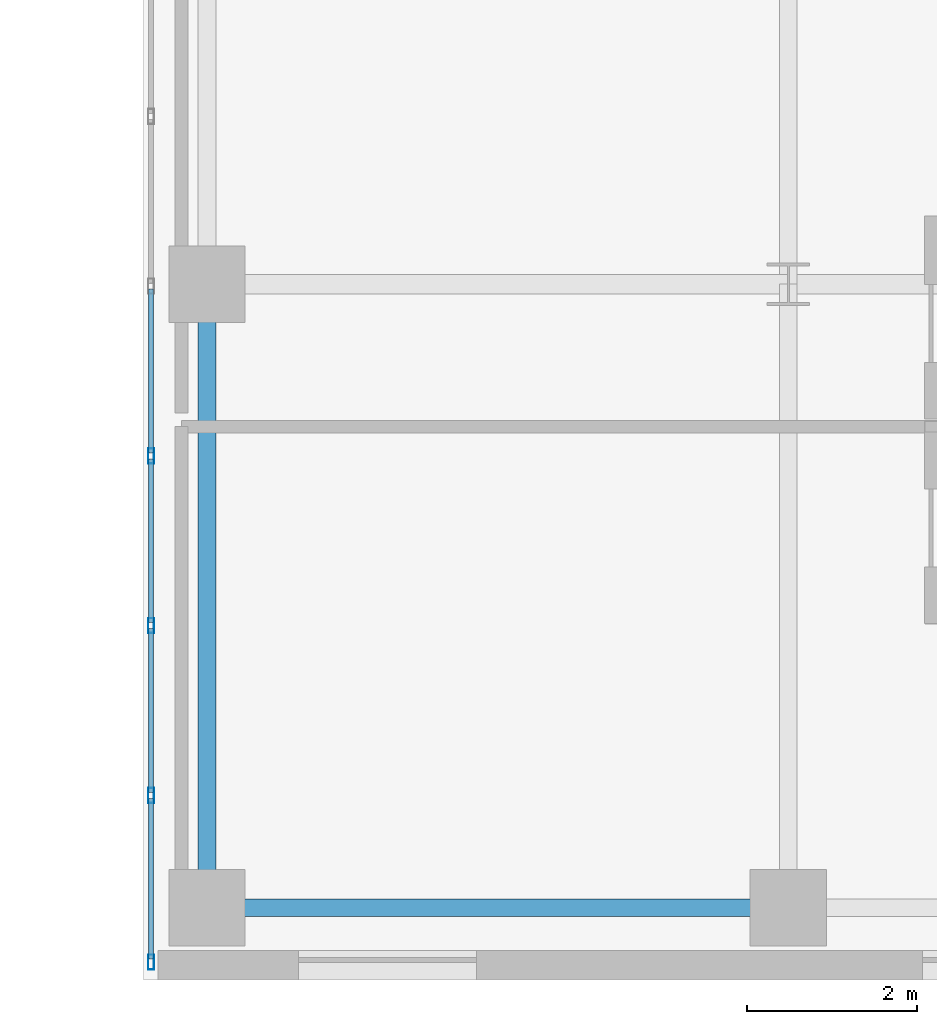
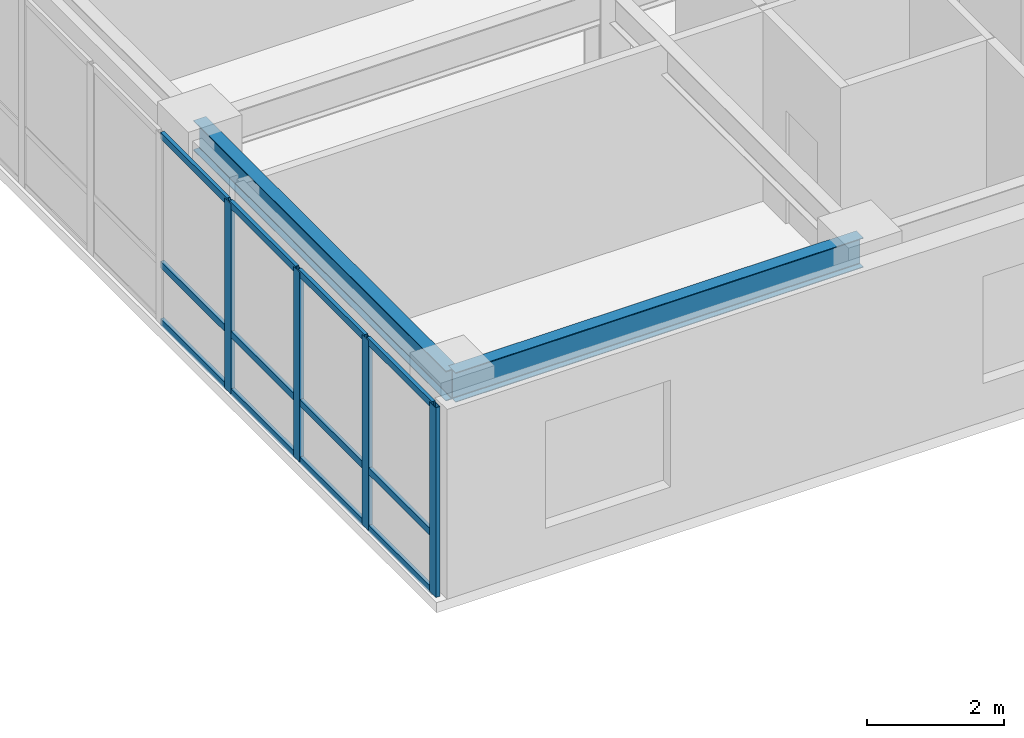
# One storey, part 5 of 17: 16 members, 2 beams, 1 element without a shape of its own.
"""IFC4 building model written with IfcOpenShell, lengths in metres."""

from ifc_helpers import new_model, si_unit, direction, frame, origin, origin_2d, place, context, subcontext, project, spatial, hollow_rectangle, i_section, extrude, source, transform, mapped, material, layer, layer_set, material_profile, profile_set, type_object, type_shapes, element, aggregate, save


model = new_model("IFC4")

# Units and contexts
model_context = context("Model", 3, precision=1e-05, world=origin(), true_north=direction((0.0, 1.0)))
body_context = subcontext(model_context, "Body", "Model", "MODEL_VIEW")
ifc_project = project(units=[si_unit("LENGTHUNIT", "METRE"), si_unit("AREAUNIT", "SQUARE_METRE"), si_unit("VOLUMEUNIT", "CUBIC_METRE"), si_unit("PLANEANGLEUNIT", "RADIAN"), si_unit("MASSUNIT", "GRAM", prefix="KILO")], contexts=[model_context])

# Site, building, storey
site_placement = place(None, origin())
site = spatial("IfcSite", under=ifc_project, at=site_placement, CompositionType="ELEMENT")
building_placement = place(site_placement, origin())
building = spatial("IfcBuilding", under=site, at=building_placement, Name="Tolvann Quenvar Hotel", CompositionType="ELEMENT")
storey_placement = place(building_placement, frame((0.0, 0.0, 129.300048828125)))
storey = spatial("IfcBuildingStorey", under=building, at=storey_placement, Name="L33", CompositionType="ELEMENT", Elevation=129.300048828125)

# Beams
ifc_material_1 = material(Name="Steel Grade 350", Category="steel")
ifc_material_profile_1 = material_profile(ifc_material_1, i_section(OverallWidth=0.208984375, OverallDepth=0.528076171875, WebThickness=0.009521484375, FlangeThickness=0.01318359375, FilletRadius=0.013916015625, at=origin_2d()), Name="530UB82")
ifc_profile_set_1 = profile_set([ifc_material_profile_1], Name="Steel Grade 350")
beam_type_1 = type_object("IfcBeamType", Name="BM_SPAND_530UB82", PredefinedType="SPANDREL", material=ifc_profile_set_1)
shared_shape_1 = source(origin(), body_context, "Body", "SweptSolid", [
    extrude(i_section(OverallWidth=0.208984375, OverallDepth=0.528076171875, WebThickness=0.009521484375, FlangeThickness=0.01318359375, FilletRadius=0.013916015625, at=origin_2d()), origin(), (0.0, 0.0, 1.0), 6.85009765625),
])
type_shapes(beam_type_1, [shared_shape_1])
beam_1_placement = place(storey_placement, frame((34.949951171875, 0.85009765625, 3.10595703125), z_axis=(1.0, 0.0, 0.0), x_axis=(0.0, 1.0, 0.0)))
element("IfcBeam", 1, at=beam_1_placement, inside=storey, type_object=beam_type_1, Name="BM-L33-EW-2-F2-H2", PredefinedType="SPANDREL", context=body_context, shape_type="MappedRepresentation", body=[
    mapped(shared_shape_1, transform((0.0, 0.0, 0.0), x_axis=(1.0, 0.0, 0.0), y_axis=(0.0, 1.0, 0.0), z_axis=(0.0, 0.0, 1.0), scale=1.0)),
])
ifc_material_profile_2 = material_profile(ifc_material_1, i_section(OverallWidth=0.208984375, OverallDepth=0.532958984375, WebThickness=0.01025390625, FlangeThickness=0.015625, FilletRadius=0.013916015625, at=origin_2d()), Name="530UB92")
ifc_profile_set_2 = profile_set([ifc_material_profile_2], Name="Steel Grade 350")
beam_type_2 = type_object("IfcBeamType", Name="BM_GIRD_530UB92", PredefinedType="BEAM", material=ifc_profile_set_2)
shared_shape_2 = source(origin(), body_context, "Body", "SweptSolid", [
    extrude(i_section(OverallWidth=0.208984375, OverallDepth=0.532958984375, WebThickness=0.01025390625, FlangeThickness=0.015625, FilletRadius=0.013916015625, at=origin_2d()), origin(), (0.0, 0.0, 1.0), 7.349853515625),
])
type_shapes(beam_type_2, [shared_shape_2])
beam_2_placement = place(storey_placement, frame((34.949951171875, 0.85009765625, 3.103515625), z_axis=(0.0, 1.0, 0.0), x_axis=(-1.0, 0.0, 0.0)))
element("IfcBeam", 2, at=beam_2_placement, inside=storey, type_object=beam_type_2, Name="BM-L33-NS-F2-F3", PredefinedType="BEAM", context=body_context, shape_type="MappedRepresentation", body=[
    mapped(shared_shape_2, transform((0.0, 0.0, 0.0), x_axis=(1.0, 0.0, 0.0), y_axis=(0.0, 1.0, 0.0), z_axis=(0.0, 0.0, 1.0), scale=1.0)),
])

# Curtain wall, members
ifc_material_2 = material(Name="Thermally broken anodised architectural aluminium 6063-T6 and laminated low-E glass", Category="aluminium")
ifc_layer = layer(ifc_material_2, 0.179931640625)
ifc_layer_set = layer_set([ifc_layer], Name="Thermally broken anodised architectural aluminium 6063-T6 and laminated low-E glass")
curtain_wall_type = type_object("IfcCurtainWallType", Name="CW_SYS_SLOT_03", PredefinedType="USERDEFINED", material=ifc_layer_set)
curtain_wall_placement = place(storey_placement, origin())
curtain_wall = element("IfcCurtainWall", 3, at=curtain_wall_placement, inside=storey, type_object=curtain_wall_type, Name="Curtain Wall CW-SLOT-03 (CWR-L33-E07)", ObjectType="UNITISED CURTAIN WALL", PredefinedType="USERDEFINED")
ifc_material_3 = material(Name="Anodised architectural aluminium 6063-T6 framing", Category="aluminium")
ifc_material_profile_3 = material_profile(ifc_material_3, hollow_rectangle(XDim=0.06005859375, YDim=0.1201171875, WallThickness=0.00341796875, at=origin_2d()), Name="120x60x3.5RHS")
ifc_profile_set_3 = profile_set([ifc_material_profile_3], Name="Anodised architectural aluminium 6063-T6 framing")
member_type_1 = type_object("IfcMemberType", Name="CW_TRAN_120x60", PredefinedType="USERDEFINED", material=ifc_profile_set_3)
shared_shape_3 = source(origin(), body_context, "Body", "SweptSolid", [
    extrude(hollow_rectangle(XDim=0.06005859375, YDim=0.1201171875, WallThickness=0.00341796875, at=origin_2d()), origin(), (0.0, 0.0, 1.0), 1.894775390625),
])
member_1_placement = place(storey_placement, frame((34.2900390625, 2.139892578125, 0.030029296875), z_axis=(0.0, -1.0, 0.0), x_axis=(1.0, 0.0, 0.0)))
member_1 = element("IfcMember", 4, at=member_1_placement, type_object=member_type_1, Name="CW-SLOT-03 transom 8.1", ObjectType="TRANSOM", PredefinedType="USERDEFINED", context=body_context, shape_type="MappedRepresentation", body=[
    mapped(shared_shape_3, transform((0.0, 0.0, 0.0), x_axis=(1.0, 0.0, 0.0), y_axis=(0.0, 1.0, 0.0), z_axis=(0.0, 0.0, 1.0), scale=1.0)),
])
member_2_placement = place(storey_placement, frame((34.2900390625, 2.139892578125, 1.050048828125), z_axis=(0.0, -1.0, 0.0), x_axis=(1.0, 0.0, 0.0)))
member_2 = element("IfcMember", 5, at=member_2_placement, type_object=member_type_1, Name="CW-SLOT-03 transom 8.2", ObjectType="TRANSOM", PredefinedType="USERDEFINED", context=body_context, shape_type="MappedRepresentation", body=[
    mapped(shared_shape_3, transform((0.0, 0.0, 0.0), x_axis=(1.0, 0.0, 0.0), y_axis=(0.0, 1.0, 0.0), z_axis=(0.0, 0.0, 1.0), scale=1.0)),
])
member_3_placement = place(storey_placement, frame((34.2900390625, 2.139892578125, 3.33984375), z_axis=(0.0, -1.0, 0.0), x_axis=(1.0, 0.0, 0.0)))
member_3 = element("IfcMember", 6, at=member_3_placement, type_object=member_type_1, Name="CW-SLOT-03 transom 8.3", ObjectType="TRANSOM", PredefinedType="USERDEFINED", context=body_context, shape_type="MappedRepresentation", body=[
    mapped(shared_shape_3, transform((0.0, 0.0, 0.0), x_axis=(1.0, 0.0, 0.0), y_axis=(0.0, 1.0, 0.0), z_axis=(0.0, 0.0, 1.0), scale=1.0)),
])
shared_shape_4 = source(origin(), body_context, "Body", "SweptSolid", [
    extrude(hollow_rectangle(XDim=0.06005859375, YDim=0.1201171875, WallThickness=0.00341796875, at=origin_2d()), origin(), (0.0, 0.0, 1.0), 1.929931640625),
])
type_shapes(member_type_1, [shared_shape_3, shared_shape_4])
member_4_placement = place(storey_placement, frame((34.2900390625, 8.139892578125, 0.030029296875), z_axis=(0.0, -1.0, 0.0), x_axis=(1.0, 0.0, 0.0)))
member_4 = element("IfcMember", 7, at=member_4_placement, type_object=member_type_1, Name="CW-SLOT-03 transom 5.1", ObjectType="TRANSOM", PredefinedType="USERDEFINED", context=body_context, shape_type="MappedRepresentation", body=[
    mapped(shared_shape_4, transform((0.0, 0.0, 0.0), x_axis=(1.0, 0.0, 0.0), y_axis=(0.0, 1.0, 0.0), z_axis=(0.0, 0.0, 1.0), scale=1.0)),
])
member_5_placement = place(storey_placement, frame((34.2900390625, 8.139892578125, 1.050048828125), z_axis=(0.0, -1.0, 0.0), x_axis=(1.0, 0.0, 0.0)))
member_5 = element("IfcMember", 8, at=member_5_placement, type_object=member_type_1, Name="CW-SLOT-03 transom 5.2", ObjectType="TRANSOM", PredefinedType="USERDEFINED", context=body_context, shape_type="MappedRepresentation", body=[
    mapped(shared_shape_4, transform((0.0, 0.0, 0.0), x_axis=(1.0, 0.0, 0.0), y_axis=(0.0, 1.0, 0.0), z_axis=(0.0, 0.0, 1.0), scale=1.0)),
])
member_6_placement = place(storey_placement, frame((34.2900390625, 8.139892578125, 3.33984375), z_axis=(0.0, -1.0, 0.0), x_axis=(1.0, 0.0, 0.0)))
member_6 = element("IfcMember", 9, at=member_6_placement, type_object=member_type_1, Name="CW-SLOT-03 transom 5.3", ObjectType="TRANSOM", PredefinedType="USERDEFINED", context=body_context, shape_type="MappedRepresentation", body=[
    mapped(shared_shape_4, transform((0.0, 0.0, 0.0), x_axis=(1.0, 0.0, 0.0), y_axis=(0.0, 1.0, 0.0), z_axis=(0.0, 0.0, 1.0), scale=1.0)),
])
member_7_placement = place(storey_placement, frame((34.2900390625, 6.139892578125, 0.030029296875), z_axis=(0.0, -1.0, 0.0), x_axis=(1.0, 0.0, 0.0)))
member_7 = element("IfcMember", 10, at=member_7_placement, type_object=member_type_1, Name="CW-SLOT-03 transom 6.1", ObjectType="TRANSOM", PredefinedType="USERDEFINED", context=body_context, shape_type="MappedRepresentation", body=[
    mapped(shared_shape_4, transform((0.0, 0.0, 0.0), x_axis=(1.0, 0.0, 0.0), y_axis=(0.0, 1.0, 0.0), z_axis=(0.0, 0.0, 1.0), scale=1.0)),
])
member_8_placement = place(storey_placement, frame((34.2900390625, 6.139892578125, 1.050048828125), z_axis=(0.0, -1.0, 0.0), x_axis=(1.0, 0.0, 0.0)))
member_8 = element("IfcMember", 11, at=member_8_placement, type_object=member_type_1, Name="CW-SLOT-03 transom 6.2", ObjectType="TRANSOM", PredefinedType="USERDEFINED", context=body_context, shape_type="MappedRepresentation", body=[
    mapped(shared_shape_4, transform((0.0, 0.0, 0.0), x_axis=(1.0, 0.0, 0.0), y_axis=(0.0, 1.0, 0.0), z_axis=(0.0, 0.0, 1.0), scale=1.0)),
])
member_9_placement = place(storey_placement, frame((34.2900390625, 6.139892578125, 3.33984375), z_axis=(0.0, -1.0, 0.0), x_axis=(1.0, 0.0, 0.0)))
member_9 = element("IfcMember", 12, at=member_9_placement, type_object=member_type_1, Name="CW-SLOT-03 transom 6.3", ObjectType="TRANSOM", PredefinedType="USERDEFINED", context=body_context, shape_type="MappedRepresentation", body=[
    mapped(shared_shape_4, transform((0.0, 0.0, 0.0), x_axis=(1.0, 0.0, 0.0), y_axis=(0.0, 1.0, 0.0), z_axis=(0.0, 0.0, 1.0), scale=1.0)),
])
member_10_placement = place(storey_placement, frame((34.2900390625, 4.139892578125, 0.030029296875), z_axis=(0.0, -1.0, 0.0), x_axis=(1.0, 0.0, 0.0)))
member_10 = element("IfcMember", 13, at=member_10_placement, type_object=member_type_1, Name="CW-SLOT-03 transom 7.1", ObjectType="TRANSOM", PredefinedType="USERDEFINED", context=body_context, shape_type="MappedRepresentation", body=[
    mapped(shared_shape_4, transform((0.0, 0.0, 0.0), x_axis=(1.0, 0.0, 0.0), y_axis=(0.0, 1.0, 0.0), z_axis=(0.0, 0.0, 1.0), scale=1.0)),
])
member_11_placement = place(storey_placement, frame((34.2900390625, 4.139892578125, 1.050048828125), z_axis=(0.0, -1.0, 0.0), x_axis=(1.0, 0.0, 0.0)))
member_11 = element("IfcMember", 14, at=member_11_placement, type_object=member_type_1, Name="CW-SLOT-03 transom 7.2", ObjectType="TRANSOM", PredefinedType="USERDEFINED", context=body_context, shape_type="MappedRepresentation", body=[
    mapped(shared_shape_4, transform((0.0, 0.0, 0.0), x_axis=(1.0, 0.0, 0.0), y_axis=(0.0, 1.0, 0.0), z_axis=(0.0, 0.0, 1.0), scale=1.0)),
])
member_12_placement = place(storey_placement, frame((34.2900390625, 4.139892578125, 3.33984375), z_axis=(0.0, -1.0, 0.0), x_axis=(1.0, 0.0, 0.0)))
member_12 = element("IfcMember", 15, at=member_12_placement, type_object=member_type_1, Name="CW-SLOT-03 transom 7.3", ObjectType="TRANSOM", PredefinedType="USERDEFINED", context=body_context, shape_type="MappedRepresentation", body=[
    mapped(shared_shape_4, transform((0.0, 0.0, 0.0), x_axis=(1.0, 0.0, 0.0), y_axis=(0.0, 1.0, 0.0), z_axis=(0.0, 0.0, 1.0), scale=1.0)),
])
ifc_material_profile_4 = material_profile(ifc_material_3, hollow_rectangle(XDim=0.070068359375, YDim=0.179931640625, WallThickness=0.00390625, at=origin_2d()), Name="180x70x4RHS")
ifc_profile_set_4 = profile_set([ifc_material_profile_4], Name="Anodised architectural aluminium 6063-T6 framing")
member_type_2 = type_object("IfcMemberType", Name="CW_MULL_180x70", PredefinedType="MULLION", material=ifc_profile_set_4)
shared_shape_5 = source(origin(), body_context, "Body", "SweptSolid", [
    extrude(hollow_rectangle(XDim=0.070068359375, YDim=0.179931640625, WallThickness=0.00390625, at=origin_2d()), origin(), (0.0, 0.0, 1.0), 3.369873046875),
])
type_shapes(member_type_2, [shared_shape_5])
member_13_placement = place(storey_placement, frame((34.2900390625, 6.175048828125, 0.0), z_axis=(0.0, 0.0, 1.0), x_axis=(1.0, 0.0, 0.0)))
member_13 = element("IfcMember", 16, at=member_13_placement, type_object=member_type_2, Name="CW-SLOT-03 mullion 6", PredefinedType="MULLION", context=body_context, shape_type="MappedRepresentation", body=[
    mapped(shared_shape_5, transform((0.0, 0.0, 0.0), x_axis=(1.0, 0.0, 0.0), y_axis=(0.0, 1.0, 0.0), z_axis=(0.0, 0.0, 1.0), scale=1.0)),
])
member_14_placement = place(storey_placement, frame((34.2900390625, 4.175048828125, 0.0), z_axis=(0.0, 0.0, 1.0), x_axis=(1.0, 0.0, 0.0)))
member_14 = element("IfcMember", 17, at=member_14_placement, type_object=member_type_2, Name="CW-SLOT-03 mullion 7", PredefinedType="MULLION", context=body_context, shape_type="MappedRepresentation", body=[
    mapped(shared_shape_5, transform((0.0, 0.0, 0.0), x_axis=(1.0, 0.0, 0.0), y_axis=(0.0, 1.0, 0.0), z_axis=(0.0, 0.0, 1.0), scale=1.0)),
])
member_15_placement = place(storey_placement, frame((34.2900390625, 2.175048828125, 0.0), z_axis=(0.0, 0.0, 1.0), x_axis=(1.0, 0.0, 0.0)))
member_15 = element("IfcMember", 18, at=member_15_placement, type_object=member_type_2, Name="CW-SLOT-03 mullion 8", PredefinedType="MULLION", context=body_context, shape_type="MappedRepresentation", body=[
    mapped(shared_shape_5, transform((0.0, 0.0, 0.0), x_axis=(1.0, 0.0, 0.0), y_axis=(0.0, 1.0, 0.0), z_axis=(0.0, 0.0, 1.0), scale=1.0)),
])
member_16_placement = place(storey_placement, frame((34.2900390625, 0.2099609375, 0.0), z_axis=(0.0, 0.0, 1.0), x_axis=(1.0, 0.0, 0.0)))
member_16 = element("IfcMember", 19, at=member_16_placement, type_object=member_type_2, Name="CW-SLOT-03 mullion 9", PredefinedType="MULLION", context=body_context, shape_type="MappedRepresentation", body=[
    mapped(shared_shape_5, transform((0.0, 0.0, 0.0), x_axis=(1.0, 0.0, 0.0), y_axis=(0.0, 1.0, 0.0), z_axis=(0.0, 0.0, 1.0), scale=1.0)),
])
aggregate(curtain_wall, [member_13, member_14, member_15, member_16, member_4, member_5, member_6, member_7, member_8, member_9, member_10, member_11, member_12, member_1, member_2, member_3])

save(model, "model.ifc")
